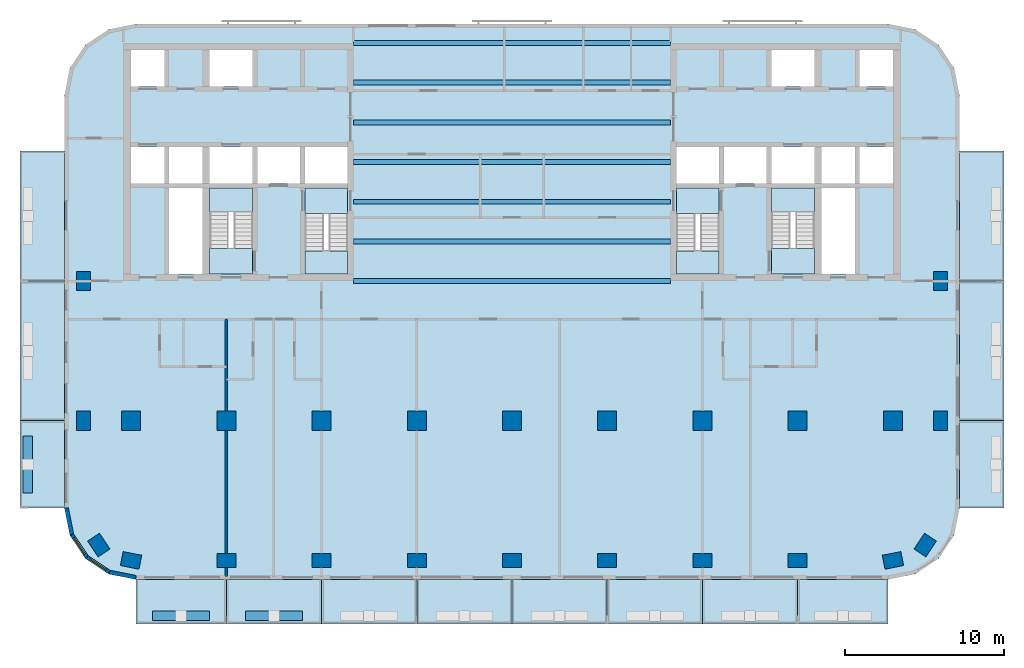
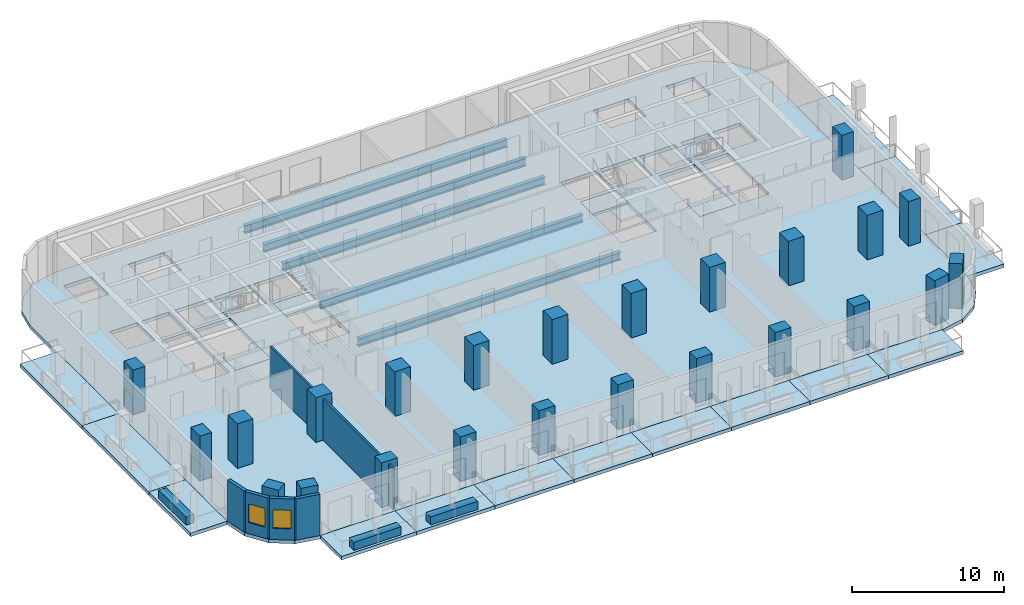
# One storey, part 1 of 11: 24 columns, 23 slabs, 8 walls, 7 beams, 2 windows, 2 openings, 4 elements without a shape of their own.
"""IFC4 building model written with IfcOpenShell, lengths in metres."""

from ifc_helpers import new_model, si_unit, direction, frame, frame_2d, origin, origin_2d, place, context, subcontext, project, spatial, polyline, rectangle, i_section, outline, extrude, material, layer, layer_set, material_profile, profile_set, type_object, element, fill, aggregate, save


model = new_model("IFC4")

# Units and contexts
model_context = context("Model", 3, precision=1e-05, world=origin(), true_north=direction((0.0, 1.0)))
body_context = subcontext(model_context, "Body", "Model", "MODEL_VIEW")
ifc_project = project(units=[si_unit("LENGTHUNIT", "METRE"), si_unit("AREAUNIT", "SQUARE_METRE"), si_unit("VOLUMEUNIT", "CUBIC_METRE"), si_unit("PLANEANGLEUNIT", "RADIAN"), si_unit("MASSUNIT", "GRAM", prefix="KILO")], contexts=[model_context])

# Site, building, storey
site_placement = place(None, origin())
site = spatial("IfcSite", under=ifc_project, at=site_placement, CompositionType="ELEMENT")
building_placement = place(site_placement, origin())
building = spatial("IfcBuilding", under=site, at=building_placement, Name="Torana Hotel and Residences", CompositionType="ELEMENT")
storey_placement = place(building_placement, frame((0.0, 0.0, 141.60009765625)))
storey = spatial("IfcBuildingStorey", under=building, at=storey_placement, Name="L36", CompositionType="ELEMENT", Elevation=141.60009765625)

# Columns
ifc_material_1 = material(Name="Concrete C70/85", Category="concrete")
ifc_material_profile_1 = material_profile(ifc_material_1, rectangle(XDim=1.199951171875, YDim=1.199951171875, at=origin_2d()), Name="RC 1200x1200")
ifc_profile_set_1 = profile_set([ifc_material_profile_1], Name="Concrete C70/85")
column_type_1 = type_object("IfcColumnType", Name="COLUMN RC 1200x1200 C70/85", PredefinedType="COLUMN", material=ifc_profile_set_1)
for number, where, z_axis, x_axis, name in (
    (1, (-24.0, -23.800048828125, 0.0), (0.0, 0.0, 1.0), (1.0, 0.0, 0.0), "Column L36"),
    (2, (-18.0, -23.800048828125, 0.0), (0.0, 0.0, 1.0), (1.0, 0.0, 0.0), "Column L36"),
    (3, (-12.0, -23.800048828125, 0.0), (0.0, 0.0, 1.0), (1.0, 0.0, 0.0), "Column L36"),
    (4, (-6.0, -23.800048828125, 0.0), (0.0, 0.0, 1.0), (1.0, 0.0, 0.0), "Column L36"),
    (5, (0.0, -23.800048828125, 0.0), (0.0, 0.0, 1.0), (1.0, 0.0, 0.0), "Column L36"),
    (6, (6.0, -23.800048828125, 0.0), (0.0, 0.0, 1.0), (1.0, 0.0, 0.0), "Column L36"),
    (7, (12.0, -23.800048828125, 0.0), (0.0, 0.0, 1.0), (1.0, 0.0, 0.0), "Column L36"),
    (8, (18.0, -23.800048828125, 0.0), (0.0, 0.0, 1.0), (1.0, 0.0, 0.0), "Column L36"),
    (9, (24.0, -23.800048828125, 0.0), (0.0, 0.0, 1.0), (1.0, 0.0, 0.0), "Column L36"),
):
    element("IfcColumn", number, at=place(storey_placement, frame(where, z_axis=z_axis, x_axis=x_axis)), inside=storey, type_object=column_type_1, Name=name, PredefinedType="COLUMN", context=body_context, shape_type="SweptSolid", body=[
        extrude(rectangle(XDim=1.199951171875, YDim=1.199951171875, at=origin_2d()), origin(), (0.0, 0.0, 1.0), 3.599853515625),
    ])
ifc_material_2 = material(Name="Concrete C70/85", Category="concrete")
ifc_material_profile_2 = material_profile(ifc_material_2, rectangle(XDim=1.199951171875, YDim=0.89990234375, at=origin_2d()), Name="RC 1200x900")
ifc_profile_set_2 = profile_set([ifc_material_profile_2], Name="Concrete C70/85")
column_type_2 = type_object("IfcColumnType", Name="COLUMN RC 1200x900 C70/85", PredefinedType="COLUMN", material=ifc_profile_set_2)
for number, where, z_axis, x_axis, name in (
    (10, (-27.0, -23.800048828125, 0.0), (0.0, 0.0, 1.0), (0.0, 1.0, 0.0), "Column L36"),
    (11, (-27.0, -15.0, 0.0), (0.0, 0.0, 1.0), (0.0, 1.0, 0.0), "Column L36"),
    (12, (-26.032958984375, -31.633056640625, 0.0), (0.0, 0.0, 1.0), (-0.555584744817, 0.831459915646, 0.0), "Column L36"),
    (13, (-24.0, -32.60009765625, 0.0), (0.0, 0.0, 1.0), (-0.980792089743, 0.195056086032, 0.0), "Column L36"),
    (14, (-18.0, -32.60009765625, 0.0), (0.0, 0.0, 1.0), (1.0, 0.0, 0.0), "Column L36"),
    (15, (-12.0, -32.60009765625, 0.0), (0.0, 0.0, 1.0), (1.0, 0.0, 0.0), "Column L36"),
    (16, (-6.0, -32.60009765625, 0.0), (0.0, 0.0, 1.0), (1.0, 0.0, 0.0), "Column L36"),
    (17, (0.0, -32.60009765625, 0.0), (0.0, 0.0, 1.0), (1.0, 0.0, 0.0), "Column L36"),
    (18, (6.0, -32.60009765625, 0.0), (0.0, 0.0, 1.0), (1.0, 0.0, 0.0), "Column L36"),
    (19, (12.0, -32.60009765625, 0.0), (0.0, 0.0, 1.0), (1.0, 0.0, 0.0), "Column L36"),
    (20, (18.0, -32.60009765625, 0.0), (0.0, 0.0, 1.0), (1.0, 0.0, 0.0), "Column L36"),
    (21, (24.0, -32.60009765625, 0.0), (0.0, 0.0, 1.0), (0.980792089743, 0.195056086032, 0.0), "Column L36"),
    (22, (26.032958984375, -31.633056640625, 0.0), (0.0, 0.0, 1.0), (0.555584744817, 0.831459915646, 0.0), "Column L36"),
    (23, (27.0, -23.800048828125, 0.0), (0.0, 0.0, 1.0), (0.0, 1.0, 0.0), "Column L36"),
    (24, (27.0, -15.0, 0.0), (0.0, 0.0, 1.0), (0.0, 1.0, 0.0), "Column L36"),
):
    element("IfcColumn", number, at=place(storey_placement, frame(where, z_axis=z_axis, x_axis=x_axis)), inside=storey, type_object=column_type_2, Name=name, PredefinedType="COLUMN", context=body_context, shape_type="SweptSolid", body=[
        extrude(rectangle(XDim=1.199951171875, YDim=0.89990234375, at=origin_2d()), origin(), (0.0, 0.0, 1.0), 3.599853515625),
    ])

# Beams
ifc_material_3 = material(Name="Steel S355", Category="steel")
ifc_material_profile_3 = material_profile(ifc_material_3, i_section(OverallWidth=0.311279296875, OverallDepth=0.6357421875, WebThickness=0.018310546875, FlangeThickness=0.031494140625, FilletRadius=0.0166015625, at=origin_2d()), Name="610x305x238 UB")
ifc_profile_set_3 = profile_set([ifc_material_profile_3], Name="Steel S355")
beam_type = type_object("IfcBeamType", Name="STEEL GIRDER 610x305x238 UB", PredefinedType="BEAM", material=ifc_profile_set_3)
for number, where, z_axis, x_axis, name in (
    (25, (-10.0, -15.0, -0.597900390625), (1.0, 0.0, 0.0), (0.0, 1.0, 0.0), "Floor girder"),
    (26, (-10.0, -12.5, -0.597900390625), (1.0, 0.0, 0.0), (0.0, 1.0, 0.0), "Floor girder"),
    (27, (-10.0, -10.0, -0.597900390625), (1.0, 0.0, 0.0), (0.0, 1.0, 0.0), "Floor girder"),
    (28, (-10.0, -7.5, -0.597900390625), (1.0, 0.0, 0.0), (0.0, 1.0, 0.0), "Floor girder"),
    (29, (-10.0, -5.0, -0.597900390625), (1.0, 0.0, 0.0), (0.0, 1.0, 0.0), "Floor girder"),
    (30, (-10.0, -2.5, -0.597900390625), (1.0, 0.0, 0.0), (0.0, 1.0, 0.0), "Floor girder"),
    (31, (-10.0, 0.0, -0.597900390625), (1.0, 0.0, 0.0), (0.0, 1.0, 0.0), "Floor girder"),
):
    element("IfcBeam", number, at=place(storey_placement, frame(where, z_axis=z_axis, x_axis=x_axis)), inside=storey, type_object=beam_type, Name=name, PredefinedType="BEAM", context=body_context, shape_type="SweptSolid", body=[
        extrude(i_section(OverallWidth=0.311279296875, OverallDepth=0.6357421875, WebThickness=0.018310546875, FlangeThickness=0.031494140625, FilletRadius=0.0166015625, at=origin_2d()), origin(), (0.0, 0.0, 1.0), 20.0),
    ])

# Slabs
ifc_material_4 = material(Name="Concrete C40/50", Category="concrete")
ifc_layer_1 = layer(ifc_material_4, 0.280029296875)
ifc_layer_set_1 = layer_set([ifc_layer_1], Name="BAL1 BALCONY SLAB 280")
slab_type_1 = type_object("IfcSlabType", Name="BAL1 BALCONY SLAB 280", PredefinedType="USERDEFINED", material=ifc_layer_set_1)
slab_1_placement = place(storey_placement, frame((0.0, 0.0, -0.280029296875)))
element("IfcSlab", 32, at=slab_1_placement, inside=storey, type_object=slab_type_1, Name="Balcony 01", ObjectType="BALCONY", PredefinedType="USERDEFINED", context=body_context, shape_type="SweptSolid", body=[
    extrude(outline(polyline([(-23.699951171875, -36.60009765625), (-18.0, -36.60009765625), (-18.0, -33.800048828125), (-23.699951171875, -33.800048828125), (-23.699951171875, -36.60009765625)])), origin(), (0.0, 0.0, 1.0), 0.280029296875),
])
slab_2_placement = place(storey_placement, frame((0.0, 0.0, -0.280029296875)))
element("IfcSlab", 33, at=slab_2_placement, inside=storey, type_object=slab_type_1, Name="Balcony 02", ObjectType="BALCONY", PredefinedType="USERDEFINED", context=body_context, shape_type="SweptSolid", body=[
    extrude(outline(polyline([(-18.0, -36.60009765625), (-12.0, -36.60009765625), (-12.0, -33.800048828125), (-18.0, -33.800048828125), (-18.0, -36.60009765625)])), origin(), (0.0, 0.0, 1.0), 0.280029296875),
])
slab_3_placement = place(storey_placement, frame((0.0, 0.0, -0.280029296875)))
element("IfcSlab", 34, at=slab_3_placement, inside=storey, type_object=slab_type_1, Name="Balcony 03", ObjectType="BALCONY", PredefinedType="USERDEFINED", context=body_context, shape_type="SweptSolid", body=[
    extrude(outline(polyline([(-12.0, -36.60009765625), (-6.0, -36.60009765625), (-6.0, -33.800048828125), (-12.0, -33.800048828125), (-12.0, -36.60009765625)])), origin(), (0.0, 0.0, 1.0), 0.280029296875),
])
slab_4_placement = place(storey_placement, frame((0.0, 0.0, -0.280029296875)))
element("IfcSlab", 35, at=slab_4_placement, inside=storey, type_object=slab_type_1, Name="Balcony 04", ObjectType="BALCONY", PredefinedType="USERDEFINED", context=body_context, shape_type="SweptSolid", body=[
    extrude(outline(polyline([(-6.0, -36.60009765625), (0.0, -36.60009765625), (0.0, -33.800048828125), (-6.0, -33.800048828125), (-6.0, -36.60009765625)])), origin(), (0.0, 0.0, 1.0), 0.280029296875),
])
slab_5_placement = place(storey_placement, frame((0.0, 0.0, -0.280029296875)))
element("IfcSlab", 36, at=slab_5_placement, inside=storey, type_object=slab_type_1, Name="Balcony 05", ObjectType="BALCONY", PredefinedType="USERDEFINED", context=body_context, shape_type="SweptSolid", body=[
    extrude(outline(polyline([(0.0, -36.60009765625), (6.0, -36.60009765625), (6.0, -33.800048828125), (0.0, -33.800048828125), (0.0, -36.60009765625)])), origin(), (0.0, 0.0, 1.0), 0.280029296875),
])
slab_6_placement = place(storey_placement, frame((0.0, 0.0, -0.280029296875)))
element("IfcSlab", 37, at=slab_6_placement, inside=storey, type_object=slab_type_1, Name="Balcony 06", ObjectType="BALCONY", PredefinedType="USERDEFINED", context=body_context, shape_type="SweptSolid", body=[
    extrude(outline(polyline([(6.0, -36.60009765625), (12.0, -36.60009765625), (12.0, -33.800048828125), (6.0, -33.800048828125), (6.0, -36.60009765625)])), origin(), (0.0, 0.0, 1.0), 0.280029296875),
])
slab_7_placement = place(storey_placement, frame((0.0, 0.0, -0.280029296875)))
element("IfcSlab", 38, at=slab_7_placement, inside=storey, type_object=slab_type_1, Name="Balcony 07", ObjectType="BALCONY", PredefinedType="USERDEFINED", context=body_context, shape_type="SweptSolid", body=[
    extrude(outline(polyline([(12.0, -36.60009765625), (18.0, -36.60009765625), (18.0, -33.800048828125), (12.0, -33.800048828125), (12.0, -36.60009765625)])), origin(), (0.0, 0.0, 1.0), 0.280029296875),
])
slab_8_placement = place(storey_placement, frame((0.0, 0.0, -0.280029296875)))
element("IfcSlab", 39, at=slab_8_placement, inside=storey, type_object=slab_type_1, Name="Balcony 08", ObjectType="BALCONY", PredefinedType="USERDEFINED", context=body_context, shape_type="SweptSolid", body=[
    extrude(outline(polyline([(18.0, -36.60009765625), (23.699951171875, -36.60009765625), (23.699951171875, -33.800048828125), (18.0, -33.800048828125), (18.0, -36.60009765625)])), origin(), (0.0, 0.0, 1.0), 0.280029296875),
])
slab_9_placement = place(storey_placement, frame((0.0, 0.0, -0.280029296875)))
element("IfcSlab", 40, at=slab_9_placement, inside=storey, type_object=slab_type_1, Name="Balcony 09", ObjectType="BALCONY", PredefinedType="USERDEFINED", context=body_context, shape_type="SweptSolid", body=[
    extrude(outline(polyline([(-31.0, -29.300048828125), (-28.199951171875, -29.300048828125), (-28.199951171875, -23.800048828125), (-31.0, -23.800048828125), (-31.0, -29.300048828125)])), origin(), (0.0, 0.0, 1.0), 0.280029296875),
])
slab_10_placement = place(storey_placement, frame((0.0, 0.0, -0.280029296875)))
element("IfcSlab", 41, at=slab_10_placement, inside=storey, type_object=slab_type_1, Name="Balcony 10", ObjectType="BALCONY", PredefinedType="USERDEFINED", context=body_context, shape_type="SweptSolid", body=[
    extrude(outline(polyline([(-31.0, -23.800048828125), (-28.199951171875, -23.800048828125), (-28.199951171875, -15.0), (-31.0, -15.0), (-31.0, -23.800048828125)])), origin(), (0.0, 0.0, 1.0), 0.280029296875),
])
slab_11_placement = place(storey_placement, frame((0.0, 0.0, -0.280029296875)))
element("IfcSlab", 42, at=slab_11_placement, inside=storey, type_object=slab_type_1, Name="Balcony 11", ObjectType="BALCONY", PredefinedType="USERDEFINED", context=body_context, shape_type="SweptSolid", body=[
    extrude(outline(polyline([(-31.0, -15.0), (-28.199951171875, -15.0), (-28.199951171875, -6.800048828125), (-31.0, -6.800048828125), (-31.0, -15.0)])), origin(), (0.0, 0.0, 1.0), 0.280029296875),
])
slab_12_placement = place(storey_placement, frame((0.0, 0.0, -0.280029296875)))
element("IfcSlab", 43, at=slab_12_placement, inside=storey, type_object=slab_type_1, Name="Balcony 12", ObjectType="BALCONY", PredefinedType="USERDEFINED", context=body_context, shape_type="SweptSolid", body=[
    extrude(outline(polyline([(28.199951171875, -29.300048828125), (31.0, -29.300048828125), (31.0, -23.800048828125), (28.199951171875, -23.800048828125), (28.199951171875, -29.300048828125)])), origin(), (0.0, 0.0, 1.0), 0.280029296875),
])
slab_13_placement = place(storey_placement, frame((0.0, 0.0, -0.280029296875)))
element("IfcSlab", 44, at=slab_13_placement, inside=storey, type_object=slab_type_1, Name="Balcony 13", ObjectType="BALCONY", PredefinedType="USERDEFINED", context=body_context, shape_type="SweptSolid", body=[
    extrude(outline(polyline([(28.199951171875, -23.800048828125), (31.0, -23.800048828125), (31.0, -15.0), (28.199951171875, -15.0), (28.199951171875, -23.800048828125)])), origin(), (0.0, 0.0, 1.0), 0.280029296875),
])
slab_14_placement = place(storey_placement, frame((0.0, 0.0, -0.280029296875)))
element("IfcSlab", 45, at=slab_14_placement, inside=storey, type_object=slab_type_1, Name="Balcony 14", ObjectType="BALCONY", PredefinedType="USERDEFINED", context=body_context, shape_type="SweptSolid", body=[
    extrude(outline(polyline([(28.199951171875, -15.0), (31.0, -15.0), (31.0, -6.800048828125), (28.199951171875, -6.800048828125), (28.199951171875, -15.0)])), origin(), (0.0, 0.0, 1.0), 0.280029296875),
])
ifc_material_5 = material(Name="Concrete C40/50", Category="concrete")
ifc_layer_2 = layer(ifc_material_5, 0.280029296875)
ifc_layer_set_2 = layer_set([ifc_layer_2], Name="FLOOR SLAB PT 280")
slab_type_2 = type_object("IfcSlabType", Name="FLOOR SLAB PT 280", PredefinedType="FLOOR", material=ifc_layer_set_2)
slab_15_placement = place(storey_placement, frame((0.0, 0.0, -0.280029296875)))
element("IfcSlab", 46, at=slab_15_placement, inside=storey, type_object=slab_type_2, Name="Floor slab", PredefinedType="FLOOR", context=body_context, shape_type="SweptSolid", body=[
    extrude(outline(polyline([(28.199951171875, -3.300048828125), (27.857421875, -1.577880859375), (26.882080078125, -0.117919921875), (25.422119140625, 0.857421875), (23.699951171875, 1.199951171875), (-23.699951171875, 1.199951171875), (-25.422119140625, 0.857421875), (-26.882080078125, -0.117919921875), (-27.857421875, -1.577880859375), (-28.199951171875, -3.300048828125), (-28.199951171875, -29.300048828125), (-27.857421875, -31.022216796875), (-26.882080078125, -32.48193359375), (-25.422119140625, -33.45751953125), (-23.699951171875, -33.800048828125), (23.699951171875, -33.800048828125), (25.422119140625, -33.45751953125), (26.882080078125, -32.48193359375), (27.857421875, -31.022216796875), (28.199951171875, -29.300048828125), (28.199951171875, -3.300048828125)]), holes=[polyline([(-13.050048828125, -14.550048828125), (-10.35009765625, -14.550048828125), (-10.35009765625, -9.14990234375), (-13.050048828125, -9.14990234375), (-13.050048828125, -14.550048828125)]), polyline([(-19.050048828125, -14.550048828125), (-16.35009765625, -14.550048828125), (-16.35009765625, -9.14990234375), (-19.050048828125, -9.14990234375), (-19.050048828125, -14.550048828125)]), polyline([(-19.050048828125, -2.75), (-16.35009765625, -2.75), (-16.35009765625, -0.449951171875), (-19.050048828125, -0.449951171875), (-19.050048828125, -2.75)]), polyline([(-21.60009765625, -8.85009765625), (-19.5, -8.85009765625), (-19.5, -6.550048828125), (-21.60009765625, -6.550048828125), (-21.60009765625, -8.85009765625)]), polyline([(-24.0, -2.75), (-21.89990234375, -2.75), (-21.89990234375, -0.449951171875), (-24.0, -0.449951171875), (-24.0, -2.75)]), polyline([(-24.0, -8.85009765625), (-21.89990234375, -8.85009765625), (-21.89990234375, -6.550048828125), (-24.0, -6.550048828125), (-24.0, -8.85009765625)]), polyline([(-13.050048828125, -8.85009765625), (-10.35009765625, -8.85009765625), (-10.35009765625, -6.550048828125), (-13.050048828125, -6.550048828125), (-13.050048828125, -8.85009765625)]), polyline([(-16.050048828125, -8.85009765625), (-13.35009765625, -8.85009765625), (-13.35009765625, -6.550048828125), (-16.050048828125, -6.550048828125), (-16.050048828125, -8.85009765625)]), polyline([(-19.050048828125, -8.85009765625), (-16.35009765625, -8.85009765625), (-16.35009765625, -6.550048828125), (-19.050048828125, -6.550048828125), (-19.050048828125, -8.85009765625)]), polyline([(-21.60009765625, -14.550048828125), (-19.5, -14.550048828125), (-19.5, -9.14990234375), (-21.60009765625, -9.14990234375), (-21.60009765625, -14.550048828125)]), polyline([(10.35009765625, -14.550048828125), (13.050048828125, -14.550048828125), (13.050048828125, -9.14990234375), (10.35009765625, -9.14990234375), (10.35009765625, -14.550048828125)]), polyline([(16.35009765625, -14.550048828125), (19.050048828125, -14.550048828125), (19.050048828125, -9.14990234375), (16.35009765625, -9.14990234375), (16.35009765625, -14.550048828125)]), polyline([(16.35009765625, -2.75), (19.050048828125, -2.75), (19.050048828125, -0.449951171875), (16.35009765625, -0.449951171875), (16.35009765625, -2.75)]), polyline([(19.5, -8.85009765625), (21.60009765625, -8.85009765625), (21.60009765625, -6.550048828125), (19.5, -6.550048828125), (19.5, -8.85009765625)]), polyline([(21.89990234375, -2.75), (24.0, -2.75), (24.0, -0.449951171875), (21.89990234375, -0.449951171875), (21.89990234375, -2.75)]), polyline([(21.89990234375, -8.85009765625), (24.0, -8.85009765625), (24.0, -6.550048828125), (21.89990234375, -6.550048828125), (21.89990234375, -8.85009765625)]), polyline([(10.35009765625, -8.85009765625), (13.050048828125, -8.85009765625), (13.050048828125, -6.550048828125), (10.35009765625, -6.550048828125), (10.35009765625, -8.85009765625)]), polyline([(13.35009765625, -8.85009765625), (16.050048828125, -8.85009765625), (16.050048828125, -6.550048828125), (13.35009765625, -6.550048828125), (13.35009765625, -8.85009765625)]), polyline([(16.35009765625, -8.85009765625), (19.050048828125, -8.85009765625), (19.050048828125, -6.550048828125), (16.35009765625, -6.550048828125), (16.35009765625, -8.85009765625)]), polyline([(19.5, -14.550048828125), (21.60009765625, -14.550048828125), (21.60009765625, -9.14990234375), (19.5, -9.14990234375), (19.5, -14.550048828125)])]), origin(), (0.0, 0.0, 1.0), 0.280029296875),
])

# Stair, slabs
ifc_material_6 = material(Name="Concrete C40/50 precast", Category="concrete")
stair_type_1 = type_object("IfcStairType", Name="STAIR ST1 HALF TURN 1200", PredefinedType="HALF_TURN_STAIR", material=ifc_material_6)
stair_1_placement = place(storey_placement, origin())
stair_1 = element("IfcStair", 47, at=stair_1_placement, inside=storey, type_object=stair_type_1, Name="Stair ST1 L36", PredefinedType="HALF_TURN_STAIR")
ifc_material_7 = material(Name="Concrete C40/50 precast", Category="concrete")
ifc_layer_3 = layer(ifc_material_7, 0.199951171875)
ifc_layer_set_3 = layer_set([ifc_layer_3], Name="STAIR LANDING 200")
slab_type_3 = type_object("IfcSlabType", Name="STAIR LANDING 200", PredefinedType="LANDING", material=ifc_layer_set_3)
slab_16_placement = place(storey_placement, frame((0.0, 0.0, 1.599853515625)))
slab_16 = element("IfcSlab", 48, at=slab_16_placement, type_object=slab_type_3, Name="ST1 landing 1", PredefinedType="LANDING", context=body_context, shape_type="SweptSolid", body=[
    extrude(outline(polyline([(-13.050048828125, -14.550048828125), (-10.35009765625, -14.550048828125), (-10.35009765625, -13.090087890625), (-13.050048828125, -13.090087890625), (-13.050048828125, -14.550048828125)])), origin(), (0.0, 0.0, 1.0), 0.199951171875),
])
slab_17_placement = place(storey_placement, frame((0.0, 0.0, -0.2001953125)))
slab_17 = element("IfcSlab", 49, at=slab_17_placement, type_object=slab_type_3, Name="ST1 landing 2", PredefinedType="LANDING", context=body_context, shape_type="SweptSolid", body=[
    extrude(outline(polyline([(-13.050048828125, -10.75), (-10.35009765625, -10.75), (-10.35009765625, -9.14990234375), (-13.050048828125, -9.14990234375), (-13.050048828125, -10.75)])), origin(), (0.0, 0.0, 1.0), 0.2001953125),
])
aggregate(stair_1, [slab_16, slab_17])

ifc_material_8 = material(Name="Concrete C40/50 precast", Category="concrete")
stair_type_2 = type_object("IfcStairType", Name="STAIR ST2 HALF TURN 1200", PredefinedType="HALF_TURN_STAIR", material=ifc_material_8)
stair_2_placement = place(storey_placement, origin())
stair_2 = element("IfcStair", 50, at=stair_2_placement, inside=storey, type_object=stair_type_2, Name="Stair ST2 L36", PredefinedType="HALF_TURN_STAIR")
slab_18_placement = place(storey_placement, frame((0.0, 0.0, 1.599853515625)))
slab_18 = element("IfcSlab", 51, at=slab_18_placement, type_object=slab_type_3, Name="ST2 landing 1", PredefinedType="LANDING", context=body_context, shape_type="SweptSolid", body=[
    extrude(outline(polyline([(-19.050048828125, -10.610107421875), (-16.35009765625, -10.610107421875), (-16.35009765625, -9.14990234375), (-19.050048828125, -9.14990234375), (-19.050048828125, -10.610107421875)])), origin(), (0.0, 0.0, 1.0), 0.199951171875),
])
slab_19_placement = place(storey_placement, frame((0.0, 0.0, -0.2001953125)))
slab_19 = element("IfcSlab", 52, at=slab_19_placement, type_object=slab_type_3, Name="ST2 landing 2", PredefinedType="LANDING", context=body_context, shape_type="SweptSolid", body=[
    extrude(outline(polyline([(-19.050048828125, -14.550048828125), (-16.35009765625, -14.550048828125), (-16.35009765625, -12.949951171875), (-19.050048828125, -12.949951171875), (-19.050048828125, -14.550048828125)])), origin(), (0.0, 0.0, 1.0), 0.2001953125),
])
aggregate(stair_2, [slab_18, slab_19])

ifc_material_9 = material(Name="Concrete C40/50 precast", Category="concrete")
stair_type_3 = type_object("IfcStairType", Name="STAIR ST3 HALF TURN 1200", PredefinedType="HALF_TURN_STAIR", material=ifc_material_9)
stair_3_placement = place(storey_placement, origin())
stair_3 = element("IfcStair", 53, at=stair_3_placement, inside=storey, type_object=stair_type_3, Name="Stair ST3 L36", PredefinedType="HALF_TURN_STAIR")
slab_20_placement = place(storey_placement, frame((0.0, 0.0, 1.599853515625)))
slab_20 = element("IfcSlab", 54, at=slab_20_placement, type_object=slab_type_3, Name="ST3 landing 1", PredefinedType="LANDING", context=body_context, shape_type="SweptSolid", body=[
    extrude(outline(polyline([(10.35009765625, -14.550048828125), (13.050048828125, -14.550048828125), (13.050048828125, -13.090087890625), (10.35009765625, -13.090087890625), (10.35009765625, -14.550048828125)])), origin(), (0.0, 0.0, 1.0), 0.199951171875),
])
slab_21_placement = place(storey_placement, frame((0.0, 0.0, -0.2001953125)))
slab_21 = element("IfcSlab", 55, at=slab_21_placement, type_object=slab_type_3, Name="ST3 landing 2", PredefinedType="LANDING", context=body_context, shape_type="SweptSolid", body=[
    extrude(outline(polyline([(10.35009765625, -10.75), (13.050048828125, -10.75), (13.050048828125, -9.14990234375), (10.35009765625, -9.14990234375), (10.35009765625, -10.75)])), origin(), (0.0, 0.0, 1.0), 0.2001953125),
])
aggregate(stair_3, [slab_20, slab_21])

ifc_material_10 = material(Name="Concrete C40/50 precast", Category="concrete")
stair_type_4 = type_object("IfcStairType", Name="STAIR ST4 HALF TURN 1200", PredefinedType="HALF_TURN_STAIR", material=ifc_material_10)
stair_4_placement = place(storey_placement, origin())
stair_4 = element("IfcStair", 56, at=stair_4_placement, inside=storey, type_object=stair_type_4, Name="Stair ST4 L36", PredefinedType="HALF_TURN_STAIR")
slab_22_placement = place(storey_placement, frame((0.0, 0.0, 1.599853515625)))
slab_22 = element("IfcSlab", 57, at=slab_22_placement, type_object=slab_type_3, Name="ST4 landing 1", PredefinedType="LANDING", context=body_context, shape_type="SweptSolid", body=[
    extrude(outline(polyline([(16.35009765625, -10.610107421875), (19.050048828125, -10.610107421875), (19.050048828125, -9.14990234375), (16.35009765625, -9.14990234375), (16.35009765625, -10.610107421875)])), origin(), (0.0, 0.0, 1.0), 0.199951171875),
])
slab_23_placement = place(storey_placement, frame((0.0, 0.0, -0.2001953125)))
slab_23 = element("IfcSlab", 58, at=slab_23_placement, type_object=slab_type_3, Name="ST4 landing 2", PredefinedType="LANDING", context=body_context, shape_type="SweptSolid", body=[
    extrude(outline(polyline([(16.35009765625, -14.550048828125), (19.050048828125, -14.550048828125), (19.050048828125, -12.949951171875), (16.35009765625, -12.949951171875), (16.35009765625, -14.550048828125)])), origin(), (0.0, 0.0, 1.0), 0.2001953125),
])
aggregate(stair_4, [slab_22, slab_23])

# Wall
ifc_material_11 = material(Name="Black aluminium composite panel", Category="aluminium")
ifc_layer_4 = layer(ifc_material_11, 0.00390625, Name="Cladding", Category="cladding")
ifc_material_12 = material(Name="Ventilated air cavity")
ifc_layer_5 = layer(ifc_material_12, 0.0400390625, Name="Ventilated cavity", Category="cavity")
ifc_material_13 = material(Name="Mineral wool insulation")
ifc_layer_6 = layer(ifc_material_13, 0.090087890625, Name="Insulation", Category="insulation")
ifc_material_14 = material(Name="Steel S280GD", Category="steel")
ifc_layer_7 = layer(ifc_material_14, 0.092041015625, Name="Steel stud frame", Category="structure")
ifc_material_15 = material(Name="Fire rated plasterboard")
ifc_layer_8 = layer(ifc_material_15, 0.011962890625, Name="Inner board", Category="finish")
ifc_layer_9 = layer(ifc_material_15, 0.011962890625, Name="Second board", Category="finish")
ifc_layer_set_4 = layer_set([ifc_layer_4, ifc_layer_5, ifc_layer_6, ifc_layer_7, ifc_layer_8, ifc_layer_9], Name="EW1 EXTERNAL WALL BLACK METAL CLAD 250")
wall_type_1 = type_object("IfcWallType", Name="EW1 EXTERNAL WALL BLACK METAL CLAD 250", PredefinedType="SOLIDWALL", material=ifc_layer_set_4)
wall_1_placement = place(storey_placement, frame((-28.072509765625, -29.2998046875, 0.0), z_axis=(0.0, 0.0, 1.0), x_axis=(0.194999110559, -0.980803419081, 0.0)))
element("IfcWall", 59, at=wall_1_placement, inside=storey, type_object=wall_type_1, Name="External wall L36 e0.10", PredefinedType="SOLIDWALL", context=body_context, shape_type="SweptSolid", body=[
    extrude(rectangle(XDim=1.681396484375, YDim=0.25, at=frame_2d((0.8408203125, 0.0))), origin(), (0.0, 0.0, 1.0), 3.31982421875),
])

# Wall, opening, window
wall_2_placement = place(storey_placement, frame((-27.725830078125, -30.993896484375, 0.0), z_axis=(0.0, 0.0, 1.0), x_axis=(0.55555029066, -0.831482937015, 0.0)))
wall_2 = element("IfcWall", 60, at=wall_2_placement, inside=storey, type_object=wall_type_1, Name="External wall L36 e0.11", PredefinedType="SOLIDWALL", context=body_context, shape_type="SweptSolid", body=[
    extrude(rectangle(XDim=1.65625, YDim=0.25, at=frame_2d((0.828125, 0.0))), origin(), (0.0, 0.0, 1.0), 3.31982421875),
])
opening_1_placement = place(wall_2_placement, frame((0.228271484375, 0.0, 0.89990234375)))
opening_1 = element("IfcOpeningElement", 61, at=opening_1_placement, cuts=wall_2, Name="Opening W5", PredefinedType="OPENING", context=body_context, shape_type="SweptSolid", body=[
    extrude(rectangle(XDim=1.199951171875, YDim=1.5, at=frame_2d((0.60009765625, 0.75))), frame((0.0, 0.135009765625, 0.0), z_axis=(0.0, -1.0, 0.0), x_axis=(1.0, 0.0, 0.0)), (0.0, 0.0, 1.0), 0.27001953125),
])
ifc_material_16 = material(Name="Dark glass in black aluminium frame", Category="aluminium")
window_type = type_object("IfcWindowType", Name="W5 CORNER FACET WINDOW 1200x1500", PartitioningType="SINGLE_PANEL", PredefinedType="WINDOW", material=ifc_material_16)
window_1_placement = place(opening_1_placement, origin())
window_1 = element("IfcWindow", 62, at=window_1_placement, inside=storey, type_object=window_type, Name="Window L36 e0.11", OverallHeight=1.5, OverallWidth=1.199951171875, PartitioningType="SINGLE_PANEL", PredefinedType="WINDOW", context=body_context, shape_type="SweptSolid", body=[
    extrude(rectangle(XDim=1.199951171875, YDim=1.5, at=frame_2d((0.60009765625, 0.75))), frame((0.0, 0.030029296875, 0.0), z_axis=(0.0, -1.0, 0.0), x_axis=(1.0, 0.0, 0.0)), (0.0, 0.0, 1.0), 0.06005859375),
])
fill(opening_1, window_1)

wall_3_placement = place(storey_placement, frame((-26.771240234375, -32.40576171875, 0.0), z_axis=(0.0, 0.0, 1.0), x_axis=(0.831482937015, -0.55555029066, 0.0)))
wall_3 = element("IfcWall", 63, at=wall_3_placement, inside=storey, type_object=wall_type_1, Name="External wall L36 e0.12", PredefinedType="SOLIDWALL", context=body_context, shape_type="SweptSolid", body=[
    extrude(rectangle(XDim=1.65625, YDim=0.25, at=frame_2d((0.828125, 0.0))), origin(), (0.0, 0.0, 1.0), 3.31982421875),
])
opening_2_placement = place(wall_3_placement, frame((0.228271484375, 0.0, 0.89990234375)))
opening_2 = element("IfcOpeningElement", 64, at=opening_2_placement, cuts=wall_3, Name="Opening W5", PredefinedType="OPENING", context=body_context, shape_type="SweptSolid", body=[
    extrude(rectangle(XDim=1.199951171875, YDim=1.5, at=frame_2d((0.60009765625, 0.75))), frame((0.0, 0.135009765625, 0.0), z_axis=(0.0, -1.0, 0.0), x_axis=(1.0, 0.0, 0.0)), (0.0, 0.0, 1.0), 0.27001953125),
])
window_2_placement = place(opening_2_placement, origin())
window_2 = element("IfcWindow", 65, at=window_2_placement, inside=storey, type_object=window_type, Name="Window L36 e0.12", OverallHeight=1.5, OverallWidth=1.199951171875, PartitioningType="SINGLE_PANEL", PredefinedType="WINDOW", context=body_context, shape_type="SweptSolid", body=[
    extrude(rectangle(XDim=1.199951171875, YDim=1.5, at=frame_2d((0.60009765625, 0.75))), frame((0.0, 0.030029296875, 0.0), z_axis=(0.0, -1.0, 0.0), x_axis=(1.0, 0.0, 0.0)), (0.0, 0.0, 1.0), 0.06005859375),
])
fill(opening_2, window_2)

# Walls
wall_4_placement = place(storey_placement, frame((-25.348876953125, -33.344482421875, 0.0), z_axis=(0.0, 0.0, 1.0), x_axis=(0.980775640221, -0.19513878023, 0.0)))
element("IfcWall", 66, at=wall_4_placement, inside=storey, type_object=wall_type_1, Name="External wall L36 e0.13", PredefinedType="SOLIDWALL", context=body_context, shape_type="SweptSolid", body=[
    extrude(rectangle(XDim=1.681396484375, YDim=0.25, at=frame_2d((0.8408203125, 0.0))), origin(), (0.0, 0.0, 1.0), 3.31982421875),
])
ifc_material_17 = material(Name="Gypsum plasterboard")
ifc_layer_10 = layer(ifc_material_17, 0.012451171875, Name="Plasterboard", Category="finish")
ifc_layer_11 = layer(ifc_material_17, 0.012451171875, Name="Plasterboard", Category="finish")
ifc_layer_12 = layer(ifc_material_14, 0.10009765625, Name="Steel studs with mineral wool", Category="insulation")
ifc_layer_13 = layer(ifc_material_17, 0.012451171875, Name="Plasterboard", Category="finish")
ifc_layer_14 = layer(ifc_material_17, 0.012451171875, Name="Plasterboard", Category="finish")
ifc_layer_set_5 = layer_set([ifc_layer_10, ifc_layer_11, ifc_layer_12, ifc_layer_13, ifc_layer_14], Name="PARTITION 150 PLASTERBOARD")
wall_type_2 = type_object("IfcWallType", Name="PARTITION 150 PLASTERBOARD", PredefinedType="PARTITIONING", material=ifc_layer_set_5)
wall_5_placement = place(storey_placement, frame((-18.0, -33.6201171875, 0.0), z_axis=(0.0, 0.0, 1.0), x_axis=(0.0, 1.0, 0.0)))
element("IfcWall", 67, at=wall_5_placement, inside=storey, type_object=wall_type_2, Name="Partition L36", PredefinedType="PARTITIONING", context=body_context, shape_type="SweptSolid", body=[
    extrude(rectangle(XDim=16.22021484375, YDim=0.14990234375, at=frame_2d((8.110107421875, 0.0))), origin(), (0.0, 0.0, 1.0), 3.31982421875),
])
ifc_material_18 = material(Name="Concrete C40/50 precast", Category="concrete")
ifc_layer_15 = layer(ifc_material_18, 0.10009765625, Name="Planter shell", Category="structure")
ifc_material_19 = material(Name="Root resistant membrane")
ifc_layer_16 = layer(ifc_material_19, 0.00390625, Name="Waterproofing membrane", Category="membrane")
ifc_material_20 = material(Name="Drainage board with filter fleece")
ifc_layer_17 = layer(ifc_material_20, 0.02001953125, Name="Drainage board", Category="drainage")
ifc_material_21 = material(Name="Growing medium")
ifc_layer_18 = layer(ifc_material_21, 0.47607421875, Name="Planting substrate", Category="soil")
ifc_layer_set_6 = layer_set([ifc_layer_15, ifc_layer_16, ifc_layer_17, ifc_layer_18], Name="PL1 BALCONY PLANTER 600")
wall_type_3 = type_object("IfcWallType", Name="PL1 BALCONY PLANTER 600", PredefinedType="USERDEFINED", material=ifc_layer_set_6)
wall_6_placement = place(storey_placement, frame((-19.050048828125, -36.10009765625, 0.0), z_axis=(0.0, 0.0, 1.0), x_axis=(-1.0, 0.0, 0.0)))
element("IfcWall", 68, at=wall_6_placement, inside=storey, type_object=wall_type_3, Name="Planter 01", ObjectType="PLANTER", PredefinedType="USERDEFINED", context=body_context, shape_type="SweptSolid", body=[
    extrude(rectangle(XDim=3.599853515625, YDim=0.60009765625, at=frame_2d((1.7998046875, 0.0))), origin(), (0.0, 0.0, 1.0), 0.64990234375),
])
for number, where, z_axis, x_axis, name in (
    (69, (-13.199951171875, -36.10009765625, 0.0), (0.0, 0.0, 1.0), (-1.0, 0.0, 0.0), "Planter 02"),
    (70, (-30.5, -28.35009765625, 0.0), (0.0, 0.0, 1.0), (0.0, 1.0, 0.0), "Planter 09"),
):
    element("IfcWall", number, at=place(storey_placement, frame(where, z_axis=z_axis, x_axis=x_axis)), inside=storey, type_object=wall_type_3, Name=name, ObjectType="PLANTER", PredefinedType="USERDEFINED", context=body_context, shape_type="SweptSolid", body=[
        extrude(rectangle(XDim=3.60009765625, YDim=0.60009765625, at=frame_2d((1.800048828125, 0.0))), origin(), (0.0, 0.0, 1.0), 0.64990234375),
    ])

save(model, "model.ifc")
